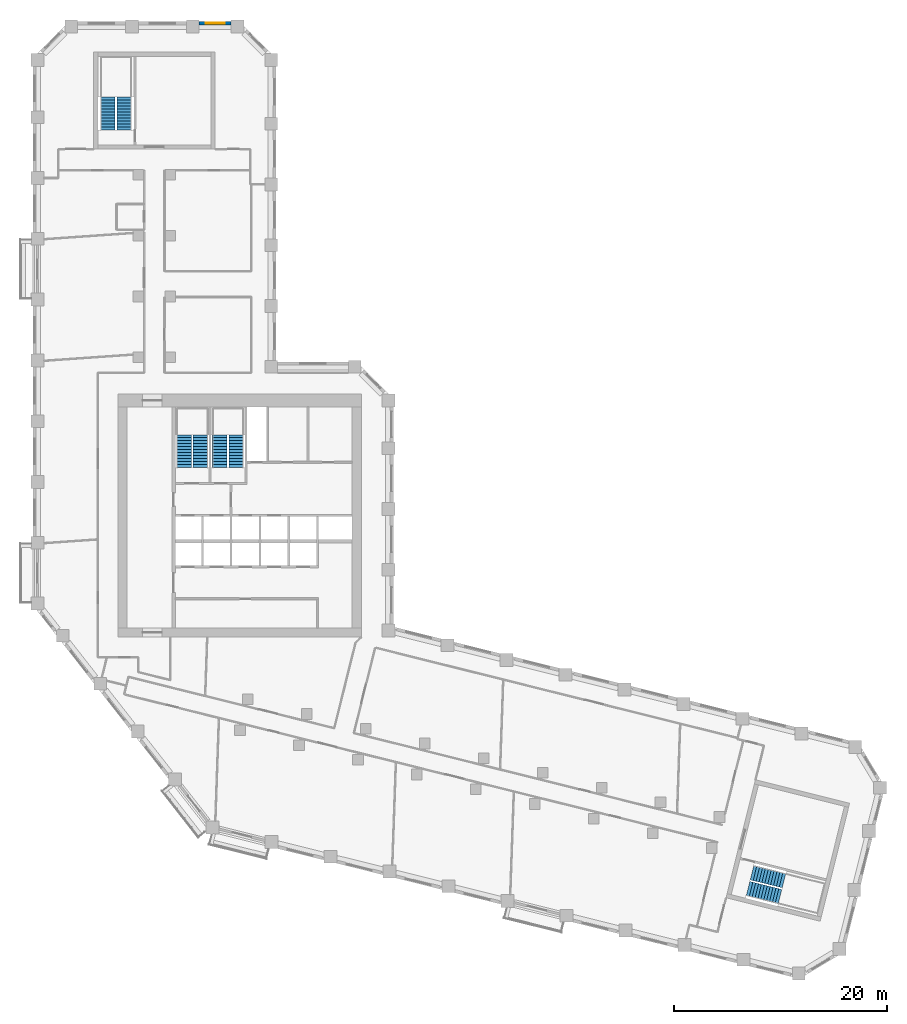
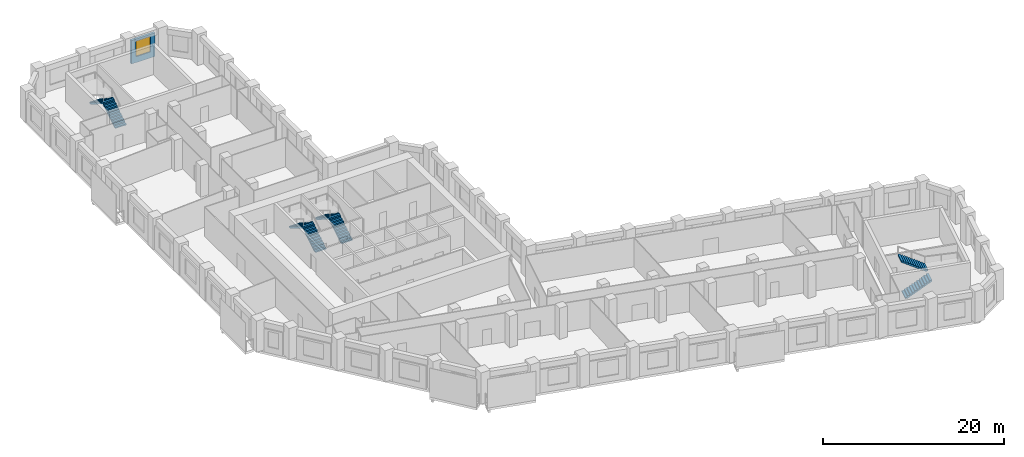
# One storey, part 9 of 10: 8 stair flights, 1 wall, 1 window, 1 opening, 4 elements without a shape of their own.
"""IFC4 building model written with IfcOpenShell, lengths in metres."""

from ifc_helpers import new_model, si_unit, direction, frame, frame_2d, origin, place, context, subcontext, project, spatial, polyline, rectangle, outline, extrude, material, layer, layer_set, type_object, element, fill, aggregate, save


model = new_model("IFC4")

# Units and contexts
model_context = context("Model", 3, precision=1e-05, world=origin(), true_north=direction((0.0, 1.0)))
body_context = subcontext(model_context, "Body", "Model", "MODEL_VIEW")
ifc_project = project(units=[si_unit("LENGTHUNIT", "METRE"), si_unit("AREAUNIT", "SQUARE_METRE"), si_unit("VOLUMEUNIT", "CUBIC_METRE"), si_unit("PLANEANGLEUNIT", "RADIAN"), si_unit("MASSUNIT", "GRAM", prefix="KILO")], contexts=[model_context])

# Site, building, storey
site_placement = place(None, origin())
site = spatial("IfcSite", under=ifc_project, at=site_placement, CompositionType="ELEMENT")
building_placement = place(site_placement, origin())
building = spatial("IfcBuilding", under=site, at=building_placement, Name="Meshkara Civic Tower", CompositionType="ELEMENT")
storey_placement = place(building_placement, frame((0.0, 0.0, 169.800048828125)))
storey = spatial("IfcBuildingStorey", under=building, at=storey_placement, Name="L38", CompositionType="ELEMENT", Elevation=169.800048828125)

# Wall, opening, window
ifc_material_1 = material(Name="Insulated infill panel with bronze anodised aluminium cladding", Category="aluminium")
ifc_layer = layer(ifc_material_1, 0.300048828125)
ifc_layer_set = layer_set([ifc_layer], Name="EXTERNAL INFILL WALL 300")
wall_type = type_object("IfcWallType", Name="EXTERNAL INFILL WALL 300", PredefinedType="SOLIDWALL", material=ifc_layer_set)
wall_placement = place(storey_placement, frame((18.593994140625, 71.669921875, 0.0), z_axis=(0.0, 0.0, 1.0), x_axis=(-1.0, 0.0, 0.0)))
wall = element("IfcWall", 1, at=wall_placement, inside=storey, type_object=wall_type, Name="External wall", PredefinedType="SOLIDWALL", context=body_context, shape_type="SweptSolid", body=[
    extrude(rectangle(XDim=2.988037109375, YDim=0.300048828125, at=frame_2d((1.494140625, 0.0))), origin(), (0.0, 0.0, 1.0), 3.14990234375),
])
opening_placement = place(wall_placement, frame((0.593994140625, 0.0, 0.800048828125)))
opening = element("IfcOpeningElement", 2, at=opening_placement, cuts=wall, Name="Opening W9", PredefinedType="OPENING", context=body_context, shape_type="SweptSolid", body=[
    extrude(rectangle(XDim=1.800048828125, YDim=2.10009765625, at=frame_2d((0.89990234375, 1.050048828125))), frame((0.0, 0.159912109375, 0.0), z_axis=(0.0, -1.0, 0.0), x_axis=(1.0, 0.0, 0.0)), (0.0, 0.0, 1.0), 0.320068359375),
])
ifc_material_2 = material(Name="Tinted double glazing", Category="glass")
window_type = type_object("IfcWindowType", Name="WINDOW 1800x2100", PartitioningType="DOUBLE_PANEL_VERTICAL", PredefinedType="WINDOW", material=ifc_material_2)
window_placement = place(opening_placement, origin())
window = element("IfcWindow", 3, at=window_placement, inside=storey, type_object=window_type, Name="Window", OverallHeight=2.10009765625, OverallWidth=1.800048828125, PartitioningType="DOUBLE_PANEL_VERTICAL", PredefinedType="WINDOW", context=body_context, shape_type="SweptSolid", body=[
    extrude(rectangle(XDim=1.800048828125, YDim=2.10009765625, at=frame_2d((0.89990234375, 1.050048828125))), frame((0.0, 0.030029296875, 0.0), z_axis=(0.0, -1.0, 0.0), x_axis=(1.0, 0.0, 0.0)), (0.0, 0.0, 1.0), 0.06005859375),
])
fill(opening, window)

# Stair, stair flights
ifc_material_3 = material(Name="Precast concrete C40/50", Category="concrete")
stair_type = type_object("IfcStairType", Name="Exit stair half-turn 24 risers precast", PredefinedType="HALF_TURN_STAIR", material=ifc_material_3)
stair_1_placement = place(storey_placement, origin())
stair_1 = element("IfcStair", 4, at=stair_1_placement, inside=storey, type_object=stair_type, Name="L38 exit stair 1", PredefinedType="HALF_TURN_STAIR")
ifc_material_4 = material(Name="Precast concrete C40/50", Category="concrete")
stair_flight_type = type_object("IfcStairFlightType", Name="Exit stair flight 12 risers precast", PredefinedType="STRAIGHT", material=ifc_material_4)
stair_flight_1_placement = place(storey_placement, frame((15.72509765625, 30.0, 0.0), z_axis=(0.0, 0.0, 1.0), x_axis=(0.0, 1.0, 0.0)))
stair_flight_1 = element("IfcStairFlight", 5, at=stair_flight_1_placement, type_object=stair_flight_type, Name="ST1 flight 1", NumberOfRisers=12, NumberOfTreads=11, PredefinedType="STRAIGHT", RiserHeight=0.175, TreadLength=0.28, context=body_context, shape_type="SweptSolid", body=[
    extrude(outline(polyline([(0.0, 0.0), (0.0, 0.175048828125), (0.280029296875, 0.175048828125), (0.280029296875, 0.35009765625), (0.56005859375, 0.35009765625), (0.56005859375, 0.52490234375), (0.840087890625, 0.52490234375), (0.840087890625, 0.699951171875), (1.1201171875, 0.699951171875), (1.1201171875, 0.875), (1.39990234375, 0.875), (1.39990234375, 1.050048828125), (1.679931640625, 1.050048828125), (1.679931640625, 1.22509765625), (1.9599609375, 1.22509765625), (1.9599609375, 1.39990234375), (2.239990234375, 1.39990234375), (2.239990234375, 1.574951171875), (2.52001953125, 1.574951171875), (2.52001953125, 1.75), (2.800048828125, 1.75), (2.800048828125, 1.925048828125), (3.080078125, 1.925048828125), (3.080078125, 2.10009765625), (3.080078125, 1.748291015625), (0.28271484375, 0.0), (0.0, 0.0)])), frame((0.0, 0.699951171875, 0.0), z_axis=(0.0, -1.0, 0.0), x_axis=(1.0, 0.0, 0.0)), (0.0, 0.0, 1.0), 1.39990234375),
])
stair_flight_2_placement = place(storey_placement, frame((14.175048828125, 33.080078125, 2.099853515625), z_axis=(0.0, 0.0, 1.0), x_axis=(0.0, -1.0, 0.0)))
stair_flight_2 = element("IfcStairFlight", 6, at=stair_flight_2_placement, type_object=stair_flight_type, Name="ST1 flight 2", NumberOfRisers=12, NumberOfTreads=11, PredefinedType="STRAIGHT", RiserHeight=0.175, TreadLength=0.28, context=body_context, shape_type="SweptSolid", body=[
    extrude(outline(polyline([(0.0, 0.0), (0.0, 0.175048828125), (0.280029296875, 0.175048828125), (0.280029296875, 0.35009765625), (0.56005859375, 0.35009765625), (0.56005859375, 0.52490234375), (0.840087890625, 0.52490234375), (0.840087890625, 0.699951171875), (1.1201171875, 0.699951171875), (1.1201171875, 0.875), (1.39990234375, 0.875), (1.39990234375, 1.050048828125), (1.679931640625, 1.050048828125), (1.679931640625, 1.22509765625), (1.9599609375, 1.22509765625), (1.9599609375, 1.39990234375), (2.239990234375, 1.39990234375), (2.239990234375, 1.574951171875), (2.52001953125, 1.574951171875), (2.52001953125, 1.75), (2.800048828125, 1.75), (2.800048828125, 1.925048828125), (3.080078125, 1.925048828125), (3.080078125, 2.10009765625), (3.080078125, 1.748291015625), (0.28271484375, 0.0), (0.0, 0.0)])), frame((0.0, 0.699951171875, 0.0), z_axis=(0.0, -1.0, 0.0), x_axis=(1.0, 0.0, 0.0)), (0.0, 0.0, 1.0), 1.39990234375),
])
aggregate(stair_1, [stair_flight_1, stair_flight_2])

stair_2_placement = place(storey_placement, origin())
stair_2 = element("IfcStair", 7, at=stair_2_placement, inside=storey, type_object=stair_type, Name="L38 exit stair 2", PredefinedType="HALF_TURN_STAIR")
stair_flight_3_placement = place(storey_placement, frame((19.074951171875, 30.0, 0.0), z_axis=(0.0, 0.0, 1.0), x_axis=(0.0, 1.0, 0.0)))
stair_flight_3 = element("IfcStairFlight", 8, at=stair_flight_3_placement, type_object=stair_flight_type, Name="ST2 flight 1", NumberOfRisers=12, NumberOfTreads=11, PredefinedType="STRAIGHT", RiserHeight=0.175, TreadLength=0.28, context=body_context, shape_type="SweptSolid", body=[
    extrude(outline(polyline([(0.0, 0.0), (0.0, 0.175048828125), (0.280029296875, 0.175048828125), (0.280029296875, 0.35009765625), (0.56005859375, 0.35009765625), (0.56005859375, 0.52490234375), (0.840087890625, 0.52490234375), (0.840087890625, 0.699951171875), (1.1201171875, 0.699951171875), (1.1201171875, 0.875), (1.39990234375, 0.875), (1.39990234375, 1.050048828125), (1.679931640625, 1.050048828125), (1.679931640625, 1.22509765625), (1.9599609375, 1.22509765625), (1.9599609375, 1.39990234375), (2.239990234375, 1.39990234375), (2.239990234375, 1.574951171875), (2.52001953125, 1.574951171875), (2.52001953125, 1.75), (2.800048828125, 1.75), (2.800048828125, 1.925048828125), (3.080078125, 1.925048828125), (3.080078125, 2.10009765625), (3.080078125, 1.748291015625), (0.28271484375, 0.0), (0.0, 0.0)])), frame((0.0, 0.699951171875, 0.0), z_axis=(0.0, -1.0, 0.0), x_axis=(1.0, 0.0, 0.0)), (0.0, 0.0, 1.0), 1.39990234375),
])
stair_flight_4_placement = place(storey_placement, frame((17.52490234375, 33.080078125, 2.099853515625), z_axis=(0.0, 0.0, 1.0), x_axis=(0.0, -1.0, 0.0)))
stair_flight_4 = element("IfcStairFlight", 9, at=stair_flight_4_placement, type_object=stair_flight_type, Name="ST2 flight 2", NumberOfRisers=12, NumberOfTreads=11, PredefinedType="STRAIGHT", RiserHeight=0.175, TreadLength=0.28, context=body_context, shape_type="SweptSolid", body=[
    extrude(outline(polyline([(0.0, 0.0), (0.0, 0.175048828125), (0.280029296875, 0.175048828125), (0.280029296875, 0.35009765625), (0.56005859375, 0.35009765625), (0.56005859375, 0.52490234375), (0.840087890625, 0.52490234375), (0.840087890625, 0.699951171875), (1.1201171875, 0.699951171875), (1.1201171875, 0.875), (1.39990234375, 0.875), (1.39990234375, 1.050048828125), (1.679931640625, 1.050048828125), (1.679931640625, 1.22509765625), (1.9599609375, 1.22509765625), (1.9599609375, 1.39990234375), (2.239990234375, 1.39990234375), (2.239990234375, 1.574951171875), (2.52001953125, 1.574951171875), (2.52001953125, 1.75), (2.800048828125, 1.75), (2.800048828125, 1.925048828125), (3.080078125, 1.925048828125), (3.080078125, 2.10009765625), (3.080078125, 1.748291015625), (0.28271484375, 0.0), (0.0, 0.0)])), frame((0.0, 0.699951171875, 0.0), z_axis=(0.0, -1.0, 0.0), x_axis=(1.0, 0.0, 0.0)), (0.0, 0.0, 1.0), 1.39990234375),
])
aggregate(stair_2, [stair_flight_3, stair_flight_4])

stair_3_placement = place(storey_placement, origin())
stair_3 = element("IfcStair", 10, at=stair_3_placement, inside=storey, type_object=stair_type, Name="L38 exit stair A from L35", PredefinedType="HALF_TURN_STAIR")
stair_flight_5_placement = place(storey_placement, frame((8.574951171875, 61.669921875, 0.0), z_axis=(0.0, 0.0, 1.0), x_axis=(0.0, 1.0, 0.0)))
stair_flight_5 = element("IfcStairFlight", 11, at=stair_flight_5_placement, type_object=stair_flight_type, Name="ESA3 flight 1", NumberOfRisers=12, NumberOfTreads=11, PredefinedType="STRAIGHT", RiserHeight=0.175, TreadLength=0.28, context=body_context, shape_type="SweptSolid", body=[
    extrude(outline(polyline([(0.0, 0.0), (0.0, 0.175048828125), (0.280029296875, 0.175048828125), (0.280029296875, 0.35009765625), (0.56005859375, 0.35009765625), (0.56005859375, 0.52490234375), (0.840087890625, 0.52490234375), (0.840087890625, 0.699951171875), (1.1201171875, 0.699951171875), (1.1201171875, 0.875), (1.39990234375, 0.875), (1.39990234375, 1.050048828125), (1.679931640625, 1.050048828125), (1.679931640625, 1.22509765625), (1.9599609375, 1.22509765625), (1.9599609375, 1.39990234375), (2.239990234375, 1.39990234375), (2.239990234375, 1.574951171875), (2.52001953125, 1.574951171875), (2.52001953125, 1.75), (2.800048828125, 1.75), (2.800048828125, 1.925048828125), (3.080078125, 1.925048828125), (3.080078125, 2.10009765625), (3.080078125, 1.748291015625), (0.28271484375, 0.0), (0.0, 0.0)])), frame((0.0, 0.699951171875, 0.0), z_axis=(0.0, -1.0, 0.0), x_axis=(1.0, 0.0, 0.0)), (0.0, 0.0, 1.0), 1.39990234375),
])
stair_flight_6_placement = place(storey_placement, frame((7.02490234375, 64.75, 2.099853515625), z_axis=(0.0, 0.0, 1.0), x_axis=(0.0, -1.0, 0.0)))
stair_flight_6 = element("IfcStairFlight", 12, at=stair_flight_6_placement, type_object=stair_flight_type, Name="ESA3 flight 2", NumberOfRisers=12, NumberOfTreads=11, PredefinedType="STRAIGHT", RiserHeight=0.175, TreadLength=0.28, context=body_context, shape_type="SweptSolid", body=[
    extrude(outline(polyline([(0.0, 0.0), (0.0, 0.175048828125), (0.280029296875, 0.175048828125), (0.280029296875, 0.35009765625), (0.56005859375, 0.35009765625), (0.56005859375, 0.52490234375), (0.840087890625, 0.52490234375), (0.840087890625, 0.699951171875), (1.1201171875, 0.699951171875), (1.1201171875, 0.875), (1.39990234375, 0.875), (1.39990234375, 1.050048828125), (1.679931640625, 1.050048828125), (1.679931640625, 1.22509765625), (1.9599609375, 1.22509765625), (1.9599609375, 1.39990234375), (2.239990234375, 1.39990234375), (2.239990234375, 1.574951171875), (2.52001953125, 1.574951171875), (2.52001953125, 1.75), (2.800048828125, 1.75), (2.800048828125, 1.925048828125), (3.080078125, 1.925048828125), (3.080078125, 2.10009765625), (3.080078125, 1.748291015625), (0.28271484375, 0.0), (0.0, 0.0)])), frame((0.0, 0.699951171875, 0.0), z_axis=(0.0, -1.0, 0.0), x_axis=(1.0, 0.0, 0.0)), (0.0, 0.0, 1.0), 1.39990234375),
])
aggregate(stair_3, [stair_flight_5, stair_flight_6])

stair_4_placement = place(storey_placement, origin())
stair_4 = element("IfcStair", 13, at=stair_4_placement, inside=storey, type_object=stair_type, Name="L38 exit stair B from L35", PredefinedType="HALF_TURN_STAIR")
stair_flight_7_placement = place(storey_placement, frame((67.068115234375, -9.4814453125, 0.0), z_axis=(0.0, 0.0, 1.0), x_axis=(0.9703185901, -0.241830175344, 0.0)))
stair_flight_7 = element("IfcStairFlight", 14, at=stair_flight_7_placement, type_object=stair_flight_type, Name="ESB3 flight 1", NumberOfRisers=12, NumberOfTreads=11, PredefinedType="STRAIGHT", RiserHeight=0.175, TreadLength=0.28, context=body_context, shape_type="SweptSolid", body=[
    extrude(outline(polyline([(0.0, 0.0), (0.0, 0.175048828125), (0.280029296875, 0.175048828125), (0.280029296875, 0.35009765625), (0.56005859375, 0.35009765625), (0.56005859375, 0.52490234375), (0.840087890625, 0.52490234375), (0.840087890625, 0.699951171875), (1.1201171875, 0.699951171875), (1.1201171875, 0.875), (1.39990234375, 0.875), (1.39990234375, 1.050048828125), (1.679931640625, 1.050048828125), (1.679931640625, 1.22509765625), (1.9599609375, 1.22509765625), (1.9599609375, 1.39990234375), (2.239990234375, 1.39990234375), (2.239990234375, 1.574951171875), (2.52001953125, 1.574951171875), (2.52001953125, 1.75), (2.800048828125, 1.75), (2.800048828125, 1.925048828125), (3.080078125, 1.925048828125), (3.080078125, 2.10009765625), (3.080078125, 1.748291015625), (0.28271484375, 0.0), (0.0, 0.0)])), frame((0.0, 0.699951171875, 0.0), z_axis=(0.0, -1.0, 0.0), x_axis=(1.0, 0.0, 0.0)), (0.0, 0.0, 1.0), 1.39990234375),
])
stair_flight_8_placement = place(storey_placement, frame((70.431396484375, -8.722412109375, 2.099853515625), z_axis=(0.0, 0.0, 1.0), x_axis=(-0.9703185901, 0.241830175344, 0.0)))
stair_flight_8 = element("IfcStairFlight", 15, at=stair_flight_8_placement, type_object=stair_flight_type, Name="ESB3 flight 2", NumberOfRisers=12, NumberOfTreads=11, PredefinedType="STRAIGHT", RiserHeight=0.175, TreadLength=0.28, context=body_context, shape_type="SweptSolid", body=[
    extrude(outline(polyline([(0.0, 0.0), (0.0, 0.175048828125), (0.280029296875, 0.175048828125), (0.280029296875, 0.35009765625), (0.56005859375, 0.35009765625), (0.56005859375, 0.52490234375), (0.840087890625, 0.52490234375), (0.840087890625, 0.699951171875), (1.1201171875, 0.699951171875), (1.1201171875, 0.875), (1.39990234375, 0.875), (1.39990234375, 1.050048828125), (1.679931640625, 1.050048828125), (1.679931640625, 1.22509765625), (1.9599609375, 1.22509765625), (1.9599609375, 1.39990234375), (2.239990234375, 1.39990234375), (2.239990234375, 1.574951171875), (2.52001953125, 1.574951171875), (2.52001953125, 1.75), (2.800048828125, 1.75), (2.800048828125, 1.925048828125), (3.080078125, 1.925048828125), (3.080078125, 2.10009765625), (3.080078125, 1.748291015625), (0.28271484375, 0.0), (0.0, 0.0)])), frame((0.0, 0.699951171875, 0.0), z_axis=(0.0, -1.0, 0.0), x_axis=(1.0, 0.0, 0.0)), (0.0, 0.0, 1.0), 1.39990234375),
])
aggregate(stair_4, [stair_flight_7, stair_flight_8])

save(model, "model.ifc")
